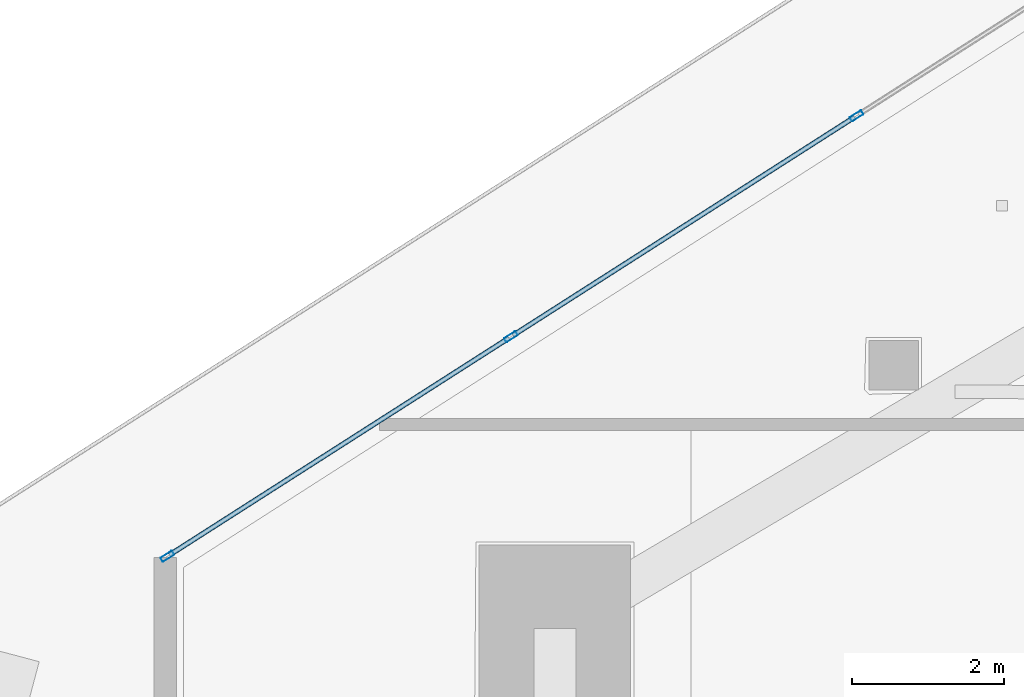
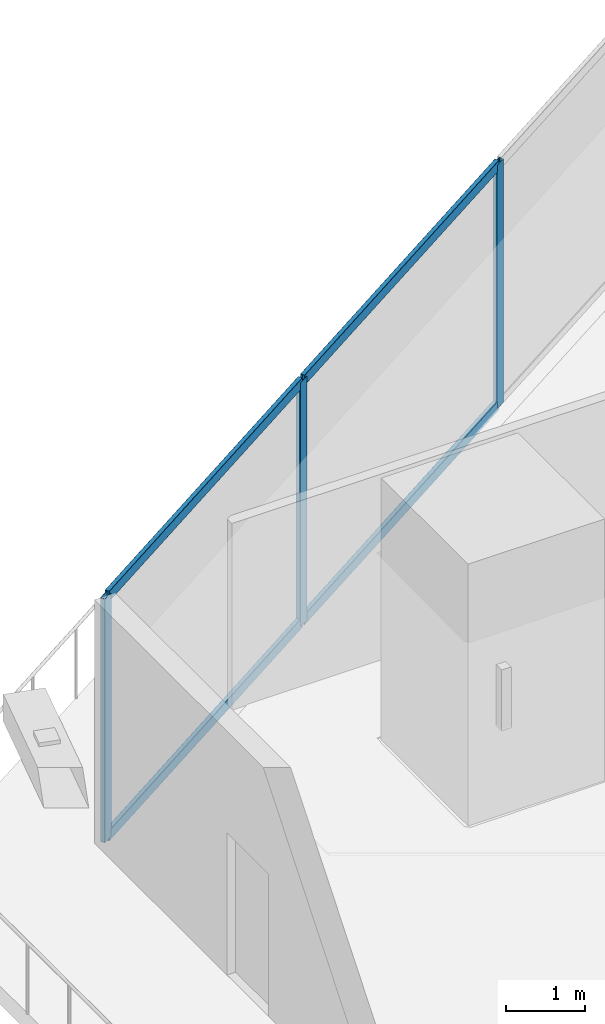
# One storey, part 13 of 44: 7 members, 1 element without a shape of its own.
"""IFC4 building model written with IfcOpenShell, lengths in metres."""

from ifc_helpers import new_model, si_unit, direction, frame, origin, origin_2d, place, context, subcontext, project, spatial, hollow_rectangle, extrude, material, layer, layer_set, material_profile, profile_set, type_object, element, aggregate, save


model = new_model("IFC4")

# Units and contexts
model_context = context("Model", 3, precision=1e-05, world=origin(), true_north=direction((0.0, 1.0)))
body_context = subcontext(model_context, "Body", "Model", "MODEL_VIEW")
ifc_project = project(units=[si_unit("LENGTHUNIT", "METRE"), si_unit("AREAUNIT", "SQUARE_METRE"), si_unit("VOLUMEUNIT", "CUBIC_METRE"), si_unit("PLANEANGLEUNIT", "RADIAN"), si_unit("MASSUNIT", "GRAM", prefix="KILO")], contexts=[model_context])

# Site, building, storey
site_placement = place(None, origin())
site = spatial("IfcSite", under=ifc_project, at=site_placement, CompositionType="ELEMENT")
building_placement = place(site_placement, origin())
building = spatial("IfcBuilding", under=site, at=building_placement, Name="Qorvath Tower", CompositionType="ELEMENT")
storey_placement = place(building_placement, frame((0.0, 0.0, 113.85009765625)))
storey = spatial("IfcBuildingStorey", under=building, at=storey_placement, Name="L25", CompositionType="ELEMENT", Elevation=113.85009765625)

# Curtain wall, members
ifc_material_1 = material(Name="Anodised aluminium and triple low-E glass", Category="aluminium")
ifc_layer = layer(ifc_material_1, 0.179931640625)
ifc_layer_set = layer_set([ifc_layer], Name="CW-SYS-2")
curtain_wall_type = type_object("IfcCurtainWallType", Name="CW-SYS-2", PredefinedType="NOTDEFINED", material=ifc_layer_set)
curtain_wall_placement = place(storey_placement, origin())
curtain_wall = element("IfcCurtainWall", 1, at=curtain_wall_placement, inside=storey, type_object=curtain_wall_type, Name="Curtain Wall CW-2 CW-T-L25-16.3", PredefinedType="NOTDEFINED")
ifc_material_2 = material(Name="Anodised aluminium 6063-T6", Category="aluminium")
ifc_material_profile_1 = material_profile(ifc_material_2, hollow_rectangle(XDim=0.06494140625, YDim=0.179931640625, WallThickness=0.00341796875, InnerFilletRadius=0.00341796875, OuterFilletRadius=0.007080078125, at=origin_2d()), Name="CWM 180x65")
ifc_profile_set_1 = profile_set([ifc_material_profile_1], Name="Anodised aluminium 6063-T6")
member_type_1 = type_object("IfcMemberType", Name="CWM-180", PredefinedType="MULLION", material=ifc_profile_set_1)
member_1_placement = place(storey_placement, frame((-49.069091796875, 9.714599609375, 0.0), z_axis=(0.0, 0.0, 1.0), x_axis=(0.538529946269, -0.84260637131, 0.0)))
member_1 = element("IfcMember", 2, at=member_1_placement, type_object=member_type_1, Name="CW-2 mullion 4", PredefinedType="MULLION", context=body_context, shape_type="SweptSolid", body=[
    extrude(hollow_rectangle(XDim=0.06494140625, YDim=0.179931640625, WallThickness=0.00341796875, InnerFilletRadius=0.00341796875, OuterFilletRadius=0.007080078125, at=origin_2d()), origin(), (0.0, 0.0, 1.0), 3.77001953125),
])
member_2_placement = place(storey_placement, frame((-53.629638671875, 6.7998046875, 0.0), z_axis=(0.0, 0.0, 1.0), x_axis=(0.538529946269, -0.84260637131, 0.0)))
member_2 = element("IfcMember", 3, at=member_2_placement, type_object=member_type_1, Name="CW-2 mullion 5", PredefinedType="MULLION", context=body_context, shape_type="SweptSolid", body=[
    extrude(hollow_rectangle(XDim=0.06494140625, YDim=0.179931640625, WallThickness=0.00341796875, InnerFilletRadius=0.00341796875, OuterFilletRadius=0.007080078125, at=origin_2d()), origin(), (0.0, 0.0, 1.0), 3.77001953125),
])
member_3_placement = place(storey_placement, frame((-58.1630859375, 3.902587890625, 0.0), z_axis=(0.0, 0.0, 1.0), x_axis=(0.538529946269, -0.84260637131, 0.0)))
member_3 = element("IfcMember", 4, at=member_3_placement, type_object=member_type_1, Name="CW-2 mullion 6", PredefinedType="MULLION", context=body_context, shape_type="SweptSolid", body=[
    extrude(hollow_rectangle(XDim=0.06494140625, YDim=0.179931640625, WallThickness=0.00341796875, InnerFilletRadius=0.00341796875, OuterFilletRadius=0.007080078125, at=origin_2d()), origin(), (0.0, 0.0, 1.0), 3.77001953125),
])
ifc_material_3 = material(Name="Anodised aluminium 6063-T6", Category="aluminium")
ifc_material_profile_2 = material_profile(ifc_material_3, hollow_rectangle(XDim=0.06494140625, YDim=0.159912109375, WallThickness=0.00341796875, InnerFilletRadius=0.00341796875, OuterFilletRadius=0.007080078125, at=origin_2d()), Name="CWT 160x65")
ifc_profile_set_2 = profile_set([ifc_material_profile_2], Name="Anodised aluminium 6063-T6")
member_type_2 = type_object("IfcMemberType", Name="CWT-160", PredefinedType="USERDEFINED", material=ifc_profile_set_2)
member_4_placement = place(storey_placement, frame((-49.096435546875, 9.697265625, 0.032470703125), z_axis=(-0.842599583756, -0.538540566211, 0.0), x_axis=(0.538540566211, -0.842599583756, 0.0)))
member_4 = element("IfcMember", 5, at=member_4_placement, type_object=member_type_2, Name="CW-2 transom 4.1", ObjectType="TRANSOM", PredefinedType="USERDEFINED", context=body_context, shape_type="SweptSolid", body=[
    extrude(hollow_rectangle(XDim=0.06494140625, YDim=0.159912109375, WallThickness=0.00341796875, InnerFilletRadius=0.00341796875, OuterFilletRadius=0.007080078125, at=origin_2d()), origin(), (0.0, 0.0, 1.0), 5.34765625),
])
member_5_placement = place(storey_placement, frame((-49.096435546875, 9.697265625, 3.737548828125), z_axis=(-0.842599583756, -0.538540566211, 0.0), x_axis=(0.538540566211, -0.842599583756, 0.0)))
member_5 = element("IfcMember", 6, at=member_5_placement, type_object=member_type_2, Name="CW-2 transom 4.2", ObjectType="TRANSOM", PredefinedType="USERDEFINED", context=body_context, shape_type="SweptSolid", body=[
    extrude(hollow_rectangle(XDim=0.06494140625, YDim=0.159912109375, WallThickness=0.00341796875, InnerFilletRadius=0.00341796875, OuterFilletRadius=0.007080078125, at=origin_2d()), origin(), (0.0, 0.0, 1.0), 5.34765625),
])
member_6_placement = place(storey_placement, frame((-53.6572265625, 6.7822265625, 0.032470703125), z_axis=(-0.842608257158, -0.53852699558, 0.0), x_axis=(0.53852699558, -0.842608257158, 0.0)))
member_6 = element("IfcMember", 7, at=member_6_placement, type_object=member_type_2, Name="CW-2 transom 5.1", ObjectType="TRANSOM", PredefinedType="USERDEFINED", context=body_context, shape_type="SweptSolid", body=[
    extrude(hollow_rectangle(XDim=0.06494140625, YDim=0.159912109375, WallThickness=0.00341796875, InnerFilletRadius=0.00341796875, OuterFilletRadius=0.007080078125, at=origin_2d()), origin(), (0.0, 0.0, 1.0), 5.31494140625),
])
member_7_placement = place(storey_placement, frame((-53.6572265625, 6.7822265625, 3.737548828125), z_axis=(-0.842608257158, -0.53852699558, 0.0), x_axis=(0.53852699558, -0.842608257158, 0.0)))
member_7 = element("IfcMember", 8, at=member_7_placement, type_object=member_type_2, Name="CW-2 transom 5.2", ObjectType="TRANSOM", PredefinedType="USERDEFINED", context=body_context, shape_type="SweptSolid", body=[
    extrude(hollow_rectangle(XDim=0.06494140625, YDim=0.159912109375, WallThickness=0.00341796875, InnerFilletRadius=0.00341796875, OuterFilletRadius=0.007080078125, at=origin_2d()), origin(), (0.0, 0.0, 1.0), 5.31494140625),
])
aggregate(curtain_wall, [member_1, member_2, member_3, member_4, member_5, member_6, member_7])

save(model, "model.ifc")
